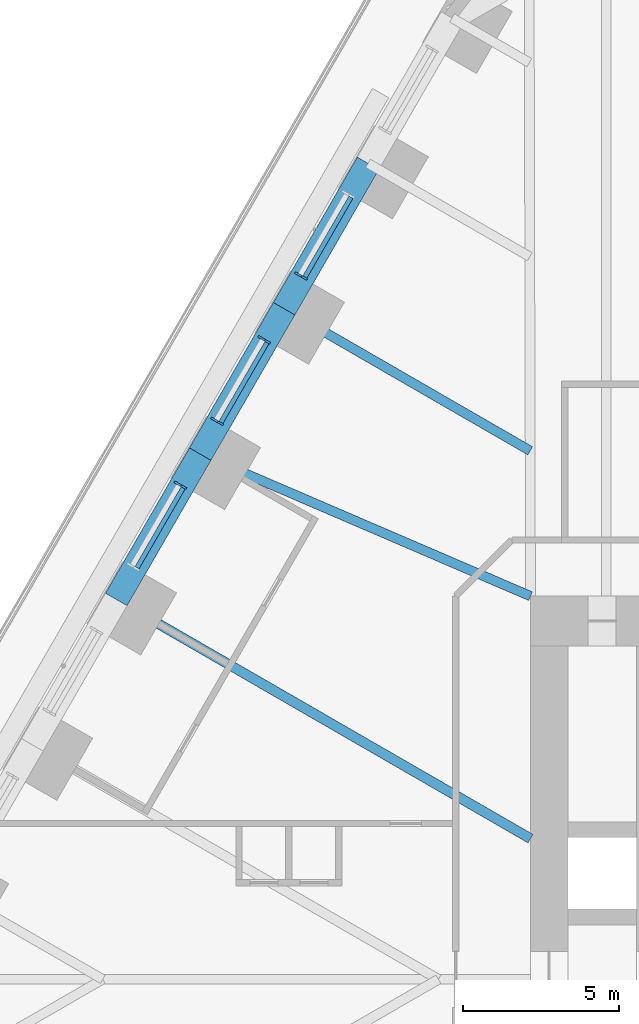
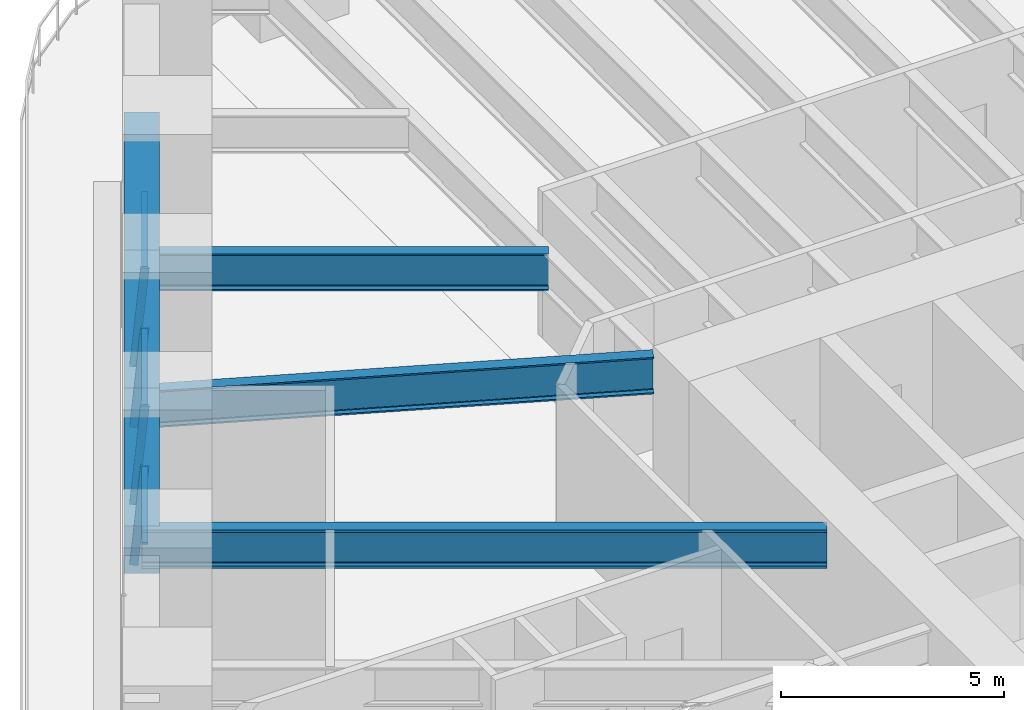
# One storey, part 8 of 23: 7 members, 6 beams, 3 elements without a shape of their own.
"""IFC4 building model written with IfcOpenShell, lengths in metres."""

from ifc_helpers import new_model, si_unit, direction, frame, origin, origin_2d, place, context, subcontext, project, spatial, rectangle, i_section, extrude, material, material_profile, profile_set, type_object, element, aggregate, save


model = new_model("IFC4")

# Units and contexts
model_context = context("Model", 3, precision=1e-05, world=origin(), true_north=direction((0.0, 1.0)))
body_context = subcontext(model_context, "Body", "Model", "MODEL_VIEW")
ifc_project = project(units=[si_unit("LENGTHUNIT", "METRE"), si_unit("AREAUNIT", "SQUARE_METRE"), si_unit("VOLUMEUNIT", "CUBIC_METRE"), si_unit("PLANEANGLEUNIT", "RADIAN"), si_unit("MASSUNIT", "GRAM", prefix="KILO")], contexts=[model_context])

# Site, building, storey
site_placement = place(None, origin())
site = spatial("IfcSite", under=ifc_project, at=site_placement, CompositionType="ELEMENT")
building_placement = place(site_placement, origin())
building = spatial("IfcBuilding", under=site, at=building_placement, Name="Tarfa Lantern Tower", CompositionType="ELEMENT")
storey_placement = place(building_placement, frame((0.0, 0.0, 40.300048828125)))
storey = spatial("IfcBuildingStorey", under=building, at=storey_placement, Name="L08", CompositionType="ELEMENT", Elevation=40.300048828125)

# Curtain wall, member
ifc_material_1 = material(Name="Aluminium framed curtain wall", Category="aluminium")
curtain_wall_type = type_object("IfcCurtainWallType", Name="CW1 CANTED GLAZING LOW ZONE 2700", PredefinedType="USERDEFINED", material=ifc_material_1)
curtain_wall_1_placement = place(storey_placement, origin())
curtain_wall_1 = element("IfcCurtainWall", 1, at=curtain_wall_1_placement, inside=storey, type_object=curtain_wall_type, Name="CW1 NW L08", ObjectType="CURTAIN WALL", PredefinedType="USERDEFINED")
ifc_material_2 = material(Name="Aluminium mullion", Category="aluminium")
ifc_material_profile_1 = material_profile(ifc_material_2, rectangle(XDim=0.06494140625, YDim=0.199951171875, at=origin_2d()), Name="AL MULLION 65x200")
ifc_profile_set_1 = profile_set([ifc_material_profile_1], Name="Aluminium mullion")
member_type_1 = type_object("IfcMemberType", Name="CWM1 MULLION 65x200", PredefinedType="MULLION", material=ifc_profile_set_1)
member_1_placement = place(storey_placement, frame((-26.07275390625, 22.640625, 0.0), z_axis=(0.07986442134, -0.046099868913, 0.99573916077), x_axis=(0.499919672301, 0.866071776036, 0.0)))
member_1 = element("IfcMember", 2, at=member_1_placement, type_object=member_type_1, Name="CW1 mullion 2", PredefinedType="MULLION", context=body_context, shape_type="SweptSolid", body=[
    extrude(rectangle(XDim=0.06494140625, YDim=0.199951171875, at=origin_2d()), origin(), (0.0, 0.0, 1.0), 2.71142578125),
])

# Curtain wall, members
curtain_wall_2_placement = place(storey_placement, origin())
curtain_wall_2 = element("IfcCurtainWall", 3, at=curtain_wall_2_placement, inside=storey, type_object=curtain_wall_type, Name="CW1 NW L08", ObjectType="CURTAIN WALL", PredefinedType="USERDEFINED")
member_2_placement = place(storey_placement, frame((-27.255126953125, 20.592529296875, 0.0), z_axis=(0.079774955866, -0.04610020023, 0.995746317068), x_axis=(0.500342721131, 0.865827443207, 0.0)))
member_2 = element("IfcMember", 4, at=member_2_placement, type_object=member_type_1, Name="CW1 mullion 1", PredefinedType="MULLION", context=body_context, shape_type="SweptSolid", body=[
    extrude(rectangle(XDim=0.06494140625, YDim=0.199951171875, at=origin_2d()), origin(), (0.0, 0.0, 1.0), 2.71142578125),
])
member_3_placement = place(storey_placement, frame((-28.76708984375, 17.97412109375, 0.0), z_axis=(0.07986442134, -0.046099868913, 0.99573916077), x_axis=(0.499919672301, 0.866071776036, 0.0)))
member_3 = element("IfcMember", 5, at=member_3_placement, type_object=member_type_1, Name="CW1 mullion 2", PredefinedType="MULLION", context=body_context, shape_type="SweptSolid", body=[
    extrude(rectangle(XDim=0.06494140625, YDim=0.199951171875, at=origin_2d()), origin(), (0.0, 0.0, 1.0), 2.71142578125),
])

# Curtain wall, member
curtain_wall_3_placement = place(storey_placement, origin())
curtain_wall_3 = element("IfcCurtainWall", 6, at=curtain_wall_3_placement, inside=storey, type_object=curtain_wall_type, Name="CW1 NW L08", ObjectType="CURTAIN WALL", PredefinedType="USERDEFINED")
member_4_placement = place(storey_placement, frame((-29.949462890625, 15.926025390625, 0.0), z_axis=(0.07986442134, -0.046099868913, 0.99573916077), x_axis=(0.499919672301, 0.866071776036, 0.0)))
member_4 = element("IfcMember", 7, at=member_4_placement, type_object=member_type_1, Name="CW1 mullion 1", PredefinedType="MULLION", context=body_context, shape_type="SweptSolid", body=[
    extrude(rectangle(XDim=0.06494140625, YDim=0.199951171875, at=origin_2d()), origin(), (0.0, 0.0, 1.0), 2.71142578125),
])

# Member
ifc_material_3 = material(Name="Aluminium transom", Category="aluminium")
ifc_material_profile_2 = material_profile(ifc_material_3, rectangle(XDim=0.14990234375, YDim=0.06494140625, at=origin_2d()), Name="AL TRANSOM 150x65")
ifc_profile_set_2 = profile_set([ifc_material_profile_2], Name="Aluminium transom")
member_type_2 = type_object("IfcMemberType", Name="CWT1 TRANSOM 150x65", PredefinedType="USERDEFINED", material=ifc_profile_set_2)
member_5_placement = place(storey_placement, frame((-24.36328125, 25.107666015625, 2.66748046875), z_axis=(-0.499981985492, -0.866035804215, 0.0), x_axis=(0.866035804215, -0.499981985492, 0.0)))
member_5 = element("IfcMember", 8, at=member_5_placement, type_object=member_type_2, Name="CW1 transom 1.2", ObjectType="TRANSOM", PredefinedType="USERDEFINED", context=body_context, shape_type="SweptSolid", body=[
    extrude(rectangle(XDim=0.14990234375, YDim=0.06494140625, at=origin_2d()), origin(), (0.0, 0.0, 1.0), 2.95849609375),
])

aggregate(curtain_wall_1, [member_1, member_5])

member_6_placement = place(storey_placement, frame((-27.0576171875, 20.44091796875, 2.66748046875), z_axis=(-0.499981985492, -0.866035804215, 0.0), x_axis=(0.866035804215, -0.499981985492, 0.0)))
member_6 = element("IfcMember", 9, at=member_6_placement, type_object=member_type_2, Name="CW1 transom 1.2", ObjectType="TRANSOM", PredefinedType="USERDEFINED", context=body_context, shape_type="SweptSolid", body=[
    extrude(rectangle(XDim=0.14990234375, YDim=0.06494140625, at=origin_2d()), origin(), (0.0, 0.0, 1.0), 2.95849609375),
])

aggregate(curtain_wall_2, [member_2, member_3, member_6])

member_7_placement = place(storey_placement, frame((-29.751953125, 15.774169921875, 2.66748046875), z_axis=(-0.500017718492, -0.866015173767, 0.0), x_axis=(0.866015173767, -0.500017718492, 0.0)))
member_7 = element("IfcMember", 10, at=member_7_placement, type_object=member_type_2, Name="CW1 transom 1.2", ObjectType="TRANSOM", PredefinedType="USERDEFINED", context=body_context, shape_type="SweptSolid", body=[
    extrude(rectangle(XDim=0.14990234375, YDim=0.06494140625, at=origin_2d()), origin(), (0.0, 0.0, 1.0), 2.95849609375),
])

aggregate(curtain_wall_3, [member_4, member_7])

# Beams
ifc_material_4 = material(Name="Concrete C80/95", Category="concrete")
ifc_material_profile_3 = material_profile(ifc_material_4, rectangle(XDim=0.800048828125, YDim=1.300048828125, at=origin_2d()), Name="RC 800x1300")
ifc_profile_set_3 = profile_set([ifc_material_profile_3], Name="Concrete C80/95")
beam_type_1 = type_object("IfcBeamType", Name="EB1 RC 800x1300", PredefinedType="SPANDREL", material=ifc_profile_set_3)
beam_1_placement = place(storey_placement, frame((-23.813720703125, 26.193359375, 3.349853515625), z_axis=(-0.499998287579, -0.866026392449, 0.0), x_axis=(0.866026392449, -0.499998287579, 0.0)))
element("IfcBeam", 11, at=beam_1_placement, inside=storey, type_object=beam_type_1, Name="Edge beam NW1", PredefinedType="SPANDREL", context=body_context, shape_type="SweptSolid", body=[
    extrude(rectangle(XDim=0.800048828125, YDim=1.300048828125, at=origin_2d()), origin(), (0.0, 0.0, 1.0), 5.388671875),
])
beam_2_placement = place(storey_placement, frame((-26.508056640625, 21.526611328125, 3.349853515625), z_axis=(-0.500017906299, -0.866015065331, 0.0), x_axis=(0.866015065331, -0.500017906299, 0.0)))
element("IfcBeam", 12, at=beam_2_placement, inside=storey, type_object=beam_type_1, Name="Edge beam NW2", PredefinedType="SPANDREL", context=body_context, shape_type="SweptSolid", body=[
    extrude(rectangle(XDim=0.800048828125, YDim=1.300048828125, at=origin_2d()), origin(), (0.0, 0.0, 1.0), 5.388427734375),
])
beam_3_placement = place(storey_placement, frame((-29.202392578125, 16.860107421875, 3.349853515625), z_axis=(-0.499998287579, -0.866026392449, 0.0), x_axis=(0.866026392449, -0.499998287579, 0.0)))
element("IfcBeam", 13, at=beam_3_placement, inside=storey, type_object=beam_type_1, Name="Edge beam NW3", PredefinedType="SPANDREL", context=body_context, shape_type="SweptSolid", body=[
    extrude(rectangle(XDim=0.800048828125, YDim=1.300048828125, at=origin_2d()), origin(), (0.0, 0.0, 1.0), 5.388671875),
])
ifc_material_5 = material(Name="Steel S460M", Category="steel")
ifc_material_profile_4 = material_profile(ifc_material_5, i_section(OverallWidth=0.302001953125, OverallDepth=1.008056640625, WebThickness=0.02099609375, FlangeThickness=0.0400390625, FilletRadius=0.030029296875, at=origin_2d()), Name="UB1016x305x349")
ifc_profile_set_4 = profile_set([ifc_material_profile_4], Name="Steel S460M")
beam_type_2 = type_object("IfcBeamType", Name="UB1016x305x349", PredefinedType="BEAM", material=ifc_profile_set_4)
beam_4_placement = place(storey_placement, frame((-26.508056640625, 21.526611328125, 3.495849609375), z_axis=(0.866035355799, -0.49998276221, 0.0), x_axis=(0.49998276221, 0.866035355799, 0.0)))
element("IfcBeam", 14, at=beam_4_placement, inside=storey, type_object=beam_type_2, Name="Floor beam NW2", PredefinedType="BEAM", context=body_context, shape_type="SweptSolid", body=[
    extrude(i_section(OverallWidth=0.302001953125, OverallDepth=1.008056640625, WebThickness=0.02099609375, FlangeThickness=0.0400390625, FilletRadius=0.030029296875, at=origin_2d()), origin(), (0.0, 0.0, 1.0), 9.119873046875),
])
beam_5_placement = place(storey_placement, frame((-29.202392578125, 16.860107421875, 3.495849609375), z_axis=(0.918635483867, -0.395106122175, 0.0), x_axis=(0.395106122175, 0.918635483867, 0.0)))
element("IfcBeam", 15, at=beam_5_placement, inside=storey, type_object=beam_type_2, Name="Floor beam NW3", PredefinedType="BEAM", context=body_context, shape_type="SweptSolid", body=[
    extrude(i_section(OverallWidth=0.302001953125, OverallDepth=1.008056640625, WebThickness=0.02099609375, FlangeThickness=0.0400390625, FilletRadius=0.030029296875, at=origin_2d()), origin(), (0.0, 0.0, 1.0), 11.541259765625),
])
ifc_material_profile_5 = material_profile(ifc_material_5, i_section(OverallWidth=0.314208984375, OverallDepth=1.055908203125, WebThickness=0.035888671875, FlangeThickness=0.06396484375, FilletRadius=0.030029296875, at=origin_2d()), Name="UB1016x305x584")
ifc_profile_set_5 = profile_set([ifc_material_profile_5], Name="Steel S460M")
beam_type_3 = type_object("IfcBeamType", Name="UB1016x305x584", PredefinedType="BEAM", material=ifc_profile_set_5)
beam_6_placement = place(storey_placement, frame((-31.896728515625, 12.193359375, 3.471923828125), z_axis=(0.866026971665, -0.499997284341, 0.0), x_axis=(0.499997284341, 0.866026971665, 0.0)))
element("IfcBeam", 16, at=beam_6_placement, inside=storey, type_object=beam_type_3, Name="Floor beam NW4", PredefinedType="BEAM", context=body_context, shape_type="SweptSolid", body=[
    extrude(i_section(OverallWidth=0.314208984375, OverallDepth=1.055908203125, WebThickness=0.035888671875, FlangeThickness=0.06396484375, FilletRadius=0.030029296875, at=origin_2d()), origin(), (0.0, 0.0, 1.0), 15.353515625),
])

save(model, "model.ifc")
